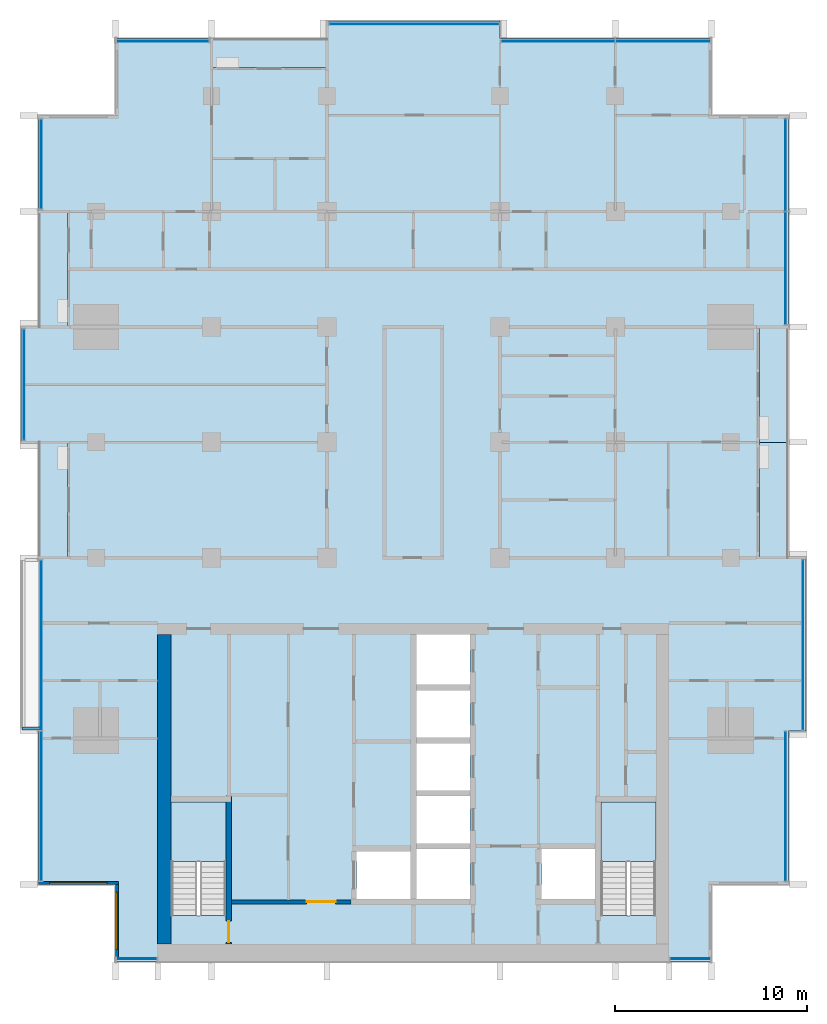
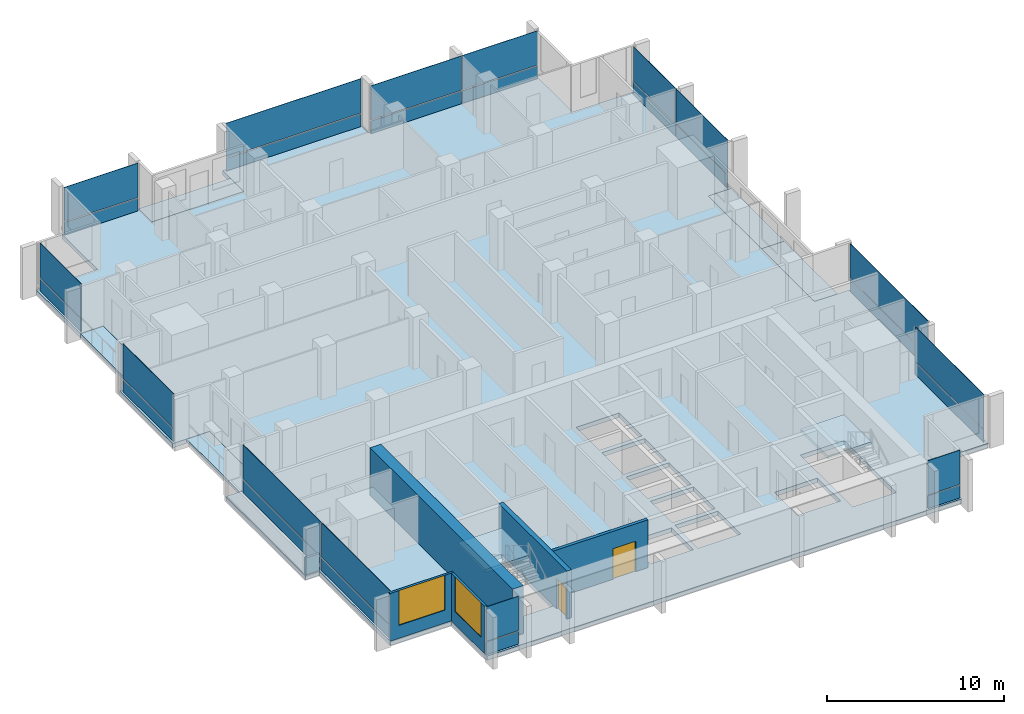
# One storey, part 6 of 17: 28 plates, 8 slabs, 6 walls, 2 doors, 2 windows, 4 openings, 13 elements without a shape of their own.
"""IFC4 building model written with IfcOpenShell, lengths in metres."""

from ifc_helpers import new_model, si_unit, direction, frame, frame_2d, origin, origin_2d, place, context, subcontext, project, spatial, polyline, rectangle, outline, extrude, material, layer, layer_set, type_object, element, fill, aggregate, save


model = new_model("IFC4")

# Units and contexts
model_context = context("Model", 3, precision=1e-05, world=origin(), true_north=direction((0.0, 1.0)))
body_context = subcontext(model_context, "Body", "Model", "MODEL_VIEW")
ifc_project = project(units=[si_unit("LENGTHUNIT", "METRE"), si_unit("AREAUNIT", "SQUARE_METRE"), si_unit("VOLUMEUNIT", "CUBIC_METRE"), si_unit("PLANEANGLEUNIT", "RADIAN"), si_unit("MASSUNIT", "GRAM", prefix="KILO")], contexts=[model_context])

# Site, building, storey
site_placement = place(None, origin())
site = spatial("IfcSite", under=ifc_project, at=site_placement, CompositionType="ELEMENT")
building_placement = place(site_placement, origin())
building = spatial("IfcBuilding", under=site, at=building_placement, Name="Finial Court Residences", CompositionType="ELEMENT")
storey_placement = place(building_placement, frame((0.0, 0.0, 152.89990234375)))
storey = spatial("IfcBuildingStorey", under=building, at=storey_placement, Name="L37", CompositionType="ELEMENT", Elevation=152.89990234375)

# Slabs
ifc_material_1 = material(Name="Concrete C35/45", Category="concrete")
ifc_layer_1 = layer(ifc_material_1, 0.199951171875)
ifc_layer_set_1 = layer_set([ifc_layer_1], Name="Balcony slab, Concrete C35/45 200")
slab_type_1 = type_object("IfcSlabType", Name="Balcony slab, Concrete C35/45 200", PredefinedType="FLOOR", material=ifc_layer_set_1)
slab_1_placement = place(storey_placement, frame((0.0, 0.0, -0.199951171875)))
element("IfcSlab", 1, at=slab_1_placement, inside=storey, type_object=slab_type_1, Name="Balcony L37-N2", PredefinedType="FLOOR", context=body_context, shape_type="SweptSolid", body=[
    extrude(outline(polyline([(-4.5, 21.0), (-4.5, 22.5), (-10.5, 22.5), (-10.5, 21.0), (-4.5, 21.0)])), origin(), (0.0, 0.0, 1.0), 0.199951171875),
])
slab_2_placement = place(storey_placement, frame((0.0, 0.0, -0.199951171875)))
element("IfcSlab", 2, at=slab_2_placement, inside=storey, type_object=slab_type_1, Name="Balcony L37-E3", PredefinedType="FLOOR", context=body_context, shape_type="SweptSolid", body=[
    extrude(outline(polyline([(19.5, -4.5), (19.5, 1.5), (18.0, 1.5), (18.0, -4.5), (19.5, -4.5)])), origin(), (0.0, 0.0, 1.0), 0.199951171875),
])
slab_3_placement = place(storey_placement, frame((0.0, 0.0, -0.199951171875)))
element("IfcSlab", 3, at=slab_3_placement, inside=storey, type_object=slab_type_1, Name="Balcony L37-E4", PredefinedType="FLOOR", context=body_context, shape_type="SweptSolid", body=[
    extrude(outline(polyline([(19.5, 1.5), (19.5, 7.5), (18.0, 7.5), (18.0, 1.5), (19.5, 1.5)])), origin(), (0.0, 0.0, 1.0), 0.199951171875),
])
slab_4_placement = place(storey_placement, frame((0.0, 0.0, -0.199951171875)))
element("IfcSlab", 4, at=slab_4_placement, inside=storey, type_object=slab_type_1, Name="Balcony L37-W3", PredefinedType="FLOOR", context=body_context, shape_type="SweptSolid", body=[
    extrude(outline(polyline([(-18.0, -4.5), (-18.0, 1.5), (-19.5, 1.5), (-19.5, -4.5), (-18.0, -4.5)])), origin(), (0.0, 0.0, 1.0), 0.199951171875),
])
slab_5_placement = place(storey_placement, frame((0.0, 0.0, -0.199951171875)))
element("IfcSlab", 5, at=slab_5_placement, inside=storey, type_object=slab_type_1, Name="Balcony L37-W5", PredefinedType="FLOOR", context=body_context, shape_type="SweptSolid", body=[
    extrude(outline(polyline([(-18.0, 7.5), (-18.0, 13.5), (-19.5, 13.5), (-19.5, 7.5), (-18.0, 7.5)])), origin(), (0.0, 0.0, 1.0), 0.199951171875),
])

# Curtain wall, plate
ifc_material_2 = material(Name="Bronze anodised aluminium", Category="aluminium")
curtain_wall_type = type_object("IfcCurtainWallType", Name="Unitised curtain wall, upper zones", PredefinedType="NOTDEFINED", material=ifc_material_2)
curtain_wall_1_placement = place(storey_placement, origin())
curtain_wall_1 = element("IfcCurtainWall", 6, at=curtain_wall_1_placement, inside=storey, type_object=curtain_wall_type, Name="E-L37-CW-N1", PredefinedType="NOTDEFINED")
ifc_layer_2 = layer(ifc_material_2, 0.035888671875)
ifc_layer_set_2 = layer_set([ifc_layer_2], Name="CW2 spandrel panel 36")
plate_type_1 = type_object("IfcPlateType", Name="CW2 spandrel panel 36", PredefinedType="CURTAIN_PANEL", material=ifc_layer_set_2)
plate_1_placement = place(storey_placement, frame((-13.03759765625, 22.35009765625, 0.0), z_axis=(0.0, 0.0, 1.0), x_axis=(1.0, 0.0, 0.0)))
plate_1 = element("IfcPlate", 7, at=plate_1_placement, type_object=plate_type_1, Name="CW2 spandrel 1.1", PredefinedType="CURTAIN_PANEL", context=body_context, shape_type="SweptSolid", body=[
    extrude(rectangle(XDim=4.804931640625, YDim=0.035888671875, at=origin_2d()), origin(), (0.0, 0.0, 1.0), 0.8701171875),
])

curtain_wall_2_placement = place(storey_placement, origin())
curtain_wall_2 = element("IfcCurtainWall", 8, at=curtain_wall_2_placement, inside=storey, type_object=curtain_wall_type, Name="E-L37-CW-N2", PredefinedType="NOTDEFINED")
plate_2_placement = place(storey_placement, frame((0.03759765625, 23.25, 0.0), z_axis=(0.0, 0.0, 1.0), x_axis=(1.0, 0.0, 0.0)))
plate_2 = element("IfcPlate", 9, at=plate_2_placement, type_object=plate_type_1, Name="CW2 spandrel 1.1", PredefinedType="CURTAIN_PANEL", context=body_context, shape_type="SweptSolid", body=[
    extrude(rectangle(XDim=8.804931640625, YDim=0.035888671875, at=origin_2d()), origin(), (0.0, 0.0, 1.0), 0.8701171875),
])

# Curtain wall, plates
curtain_wall_3_placement = place(storey_placement, origin())
curtain_wall_3 = element("IfcCurtainWall", 10, at=curtain_wall_3_placement, inside=storey, type_object=curtain_wall_type, Name="E-L37-CW-N3", PredefinedType="NOTDEFINED")
plate_3_placement = place(storey_placement, frame((7.514892578125, 22.35009765625, 0.0), z_axis=(0.0, 0.0, 1.0), x_axis=(1.0, 0.0, 0.0)))
plate_3 = element("IfcPlate", 11, at=plate_3_placement, type_object=plate_type_1, Name="CW2 spandrel 1.1", PredefinedType="CURTAIN_PANEL", context=body_context, shape_type="SweptSolid", body=[
    extrude(rectangle(XDim=5.909912109375, YDim=0.035888671875, at=origin_2d()), origin(), (0.0, 0.0, 1.0), 0.8701171875),
])
plate_4_placement = place(storey_placement, frame((12.985107421875, 22.35009765625, 0.0), z_axis=(0.0, 0.0, 1.0), x_axis=(1.0, 0.0, 0.0)))
plate_4 = element("IfcPlate", 12, at=plate_4_placement, type_object=plate_type_1, Name="CW2 spandrel 2.1", PredefinedType="CURTAIN_PANEL", context=body_context, shape_type="SweptSolid", body=[
    extrude(rectangle(XDim=4.909912109375, YDim=0.035888671875, at=origin_2d()), origin(), (0.0, 0.0, 1.0), 0.8701171875),
])

# Curtain wall, plate
curtain_wall_4_placement = place(storey_placement, origin())
curtain_wall_4 = element("IfcCurtainWall", 13, at=curtain_wall_4_placement, inside=storey, type_object=curtain_wall_type, Name="E-L37-CW-E4", PredefinedType="NOTDEFINED")
plate_5_placement = place(storey_placement, frame((19.35009765625, -17.425048828125, 0.0), z_axis=(0.0, 0.0, 1.0), x_axis=(0.0, 1.0, 0.0)))
plate_5 = element("IfcPlate", 14, at=plate_5_placement, type_object=plate_type_1, Name="CW2 spandrel 1.1", PredefinedType="CURTAIN_PANEL", context=body_context, shape_type="SweptSolid", body=[
    extrude(rectangle(XDim=7.72998046875, YDim=0.035888671875, at=origin_2d()), origin(), (0.0, 0.0, 1.0), 0.8701171875),
])

curtain_wall_5_placement = place(storey_placement, origin())
curtain_wall_5 = element("IfcCurtainWall", 15, at=curtain_wall_5_placement, inside=storey, type_object=curtain_wall_type, Name="E-L37-CW-E5", PredefinedType="NOTDEFINED")
plate_6_placement = place(storey_placement, frame((20.25, -9.03759765625, 0.0), z_axis=(0.0, 0.0, 1.0), x_axis=(0.0, 1.0, 0.0)))
plate_6 = element("IfcPlate", 16, at=plate_6_placement, type_object=plate_type_1, Name="CW2 spandrel 1.1", PredefinedType="CURTAIN_PANEL", context=body_context, shape_type="SweptSolid", body=[
    extrude(rectangle(XDim=8.804931640625, YDim=0.035888671875, at=origin_2d()), origin(), (0.0, 0.0, 1.0), 0.8701171875),
])

# Curtain wall, plates
curtain_wall_6_placement = place(storey_placement, origin())
curtain_wall_6 = element("IfcCurtainWall", 17, at=curtain_wall_6_placement, inside=storey, type_object=curtain_wall_type, Name="E-L37-CW-E6", PredefinedType="NOTDEFINED")
plate_7_placement = place(storey_placement, frame((19.35009765625, 10.552490234375, 0.0), z_axis=(0.0, 0.0, 1.0), x_axis=(0.0, 1.0, 0.0)))
plate_7 = element("IfcPlate", 18, at=plate_7_placement, type_object=plate_type_1, Name="CW2 spandrel 1.1", PredefinedType="CURTAIN_PANEL", context=body_context, shape_type="SweptSolid", body=[
    extrude(rectangle(XDim=5.8349609375, YDim=0.035888671875, at=origin_2d()), origin(), (0.0, 0.0, 1.0), 0.8701171875),
])
plate_8_placement = place(storey_placement, frame((19.35009765625, 15.909912109375, 0.0), z_axis=(0.0, 0.0, 1.0), x_axis=(0.0, 1.0, 0.0)))
plate_8 = element("IfcPlate", 19, at=plate_8_placement, type_object=plate_type_1, Name="CW2 spandrel 2.1", PredefinedType="CURTAIN_PANEL", context=body_context, shape_type="SweptSolid", body=[
    extrude(rectangle(XDim=4.760009765625, YDim=0.035888671875, at=origin_2d()), origin(), (0.0, 0.0, 1.0), 0.8701171875),
])

# Curtain wall, plate
curtain_wall_7_placement = place(storey_placement, origin())
curtain_wall_7 = element("IfcCurtainWall", 20, at=curtain_wall_7_placement, inside=storey, type_object=curtain_wall_type, Name="E-L37-CW-S7", PredefinedType="NOTDEFINED")
plate_9_placement = place(storey_placement, frame((-14.39990234375, -25.35009765625, 0.0), z_axis=(0.0, 0.0, 1.0), x_axis=(1.0, 0.0, 0.0)))
plate_9 = element("IfcPlate", 21, at=plate_9_placement, type_object=plate_type_1, Name="CW2 spandrel 1.1", PredefinedType="CURTAIN_PANEL", context=body_context, shape_type="SweptSolid", body=[
    extrude(rectangle(XDim=2.080078125, YDim=0.035888671875, at=origin_2d()), origin(), (0.0, 0.0, 1.0), 0.8701171875),
])

curtain_wall_8_placement = place(storey_placement, origin())
curtain_wall_8 = element("IfcCurtainWall", 22, at=curtain_wall_8_placement, inside=storey, type_object=curtain_wall_type, Name="E-L37-CW-S8", PredefinedType="NOTDEFINED")
plate_10_placement = place(storey_placement, frame((14.39990234375, -25.35009765625, 0.0), z_axis=(0.0, 0.0, 1.0), x_axis=(1.0, 0.0, 0.0)))
plate_10 = element("IfcPlate", 23, at=plate_10_placement, type_object=plate_type_1, Name="CW2 spandrel 1.1", PredefinedType="CURTAIN_PANEL", context=body_context, shape_type="SweptSolid", body=[
    extrude(rectangle(XDim=2.080078125, YDim=0.035888671875, at=origin_2d()), origin(), (0.0, 0.0, 1.0), 0.8701171875),
])

# Curtain wall, plates
curtain_wall_9_placement = place(storey_placement, origin())
curtain_wall_9 = element("IfcCurtainWall", 24, at=curtain_wall_9_placement, inside=storey, type_object=curtain_wall_type, Name="E-L37-CW-W9", PredefinedType="NOTDEFINED")
plate_11_placement = place(storey_placement, frame((-19.35009765625, -17.409912109375, 0.0), z_axis=(0.0, 0.0, 1.0), x_axis=(0.0, 1.0, 0.0)))
plate_11 = element("IfcPlate", 25, at=plate_11_placement, type_object=plate_type_1, Name="CW2 spandrel 1.1", PredefinedType="CURTAIN_PANEL", context=body_context, shape_type="SweptSolid", body=[
    extrude(rectangle(XDim=7.760009765625, YDim=0.035888671875, at=origin_2d()), origin(), (0.0, 0.0, 1.0), 0.8701171875),
])
plate_12_placement = place(storey_placement, frame((-19.35009765625, -9.052490234375, 0.0), z_axis=(0.0, 0.0, 1.0), x_axis=(0.0, 1.0, 0.0)))
plate_12 = element("IfcPlate", 26, at=plate_12_placement, type_object=plate_type_1, Name="CW2 spandrel 2.1", PredefinedType="CURTAIN_PANEL", context=body_context, shape_type="SweptSolid", body=[
    extrude(rectangle(XDim=8.8349609375, YDim=0.035888671875, at=origin_2d()), origin(), (0.0, 0.0, 1.0), 0.8701171875),
])

# Curtain wall, plate
curtain_wall_10_placement = place(storey_placement, origin())
curtain_wall_10 = element("IfcCurtainWall", 27, at=curtain_wall_10_placement, inside=storey, type_object=curtain_wall_type, Name="E-L37-CW-W10", PredefinedType="NOTDEFINED")
plate_13_placement = place(storey_placement, frame((-20.25, 4.5, 0.0), z_axis=(0.0, 0.0, 1.0), x_axis=(0.0, 1.0, 0.0)))
plate_13 = element("IfcPlate", 28, at=plate_13_placement, type_object=plate_type_1, Name="CW2 spandrel 1.1", PredefinedType="CURTAIN_PANEL", context=body_context, shape_type="SweptSolid", body=[
    extrude(rectangle(XDim=5.72998046875, YDim=0.035888671875, at=origin_2d()), origin(), (0.0, 0.0, 1.0), 0.8701171875),
])

curtain_wall_11_placement = place(storey_placement, origin())
curtain_wall_11 = element("IfcCurtainWall", 29, at=curtain_wall_11_placement, inside=storey, type_object=curtain_wall_type, Name="E-L37-CW-W11", PredefinedType="NOTDEFINED")
plate_14_placement = place(storey_placement, frame((-19.35009765625, 15.96240234375, 0.0), z_axis=(0.0, 0.0, 1.0), x_axis=(0.0, 1.0, 0.0)))
plate_14 = element("IfcPlate", 30, at=plate_14_placement, type_object=plate_type_1, Name="CW2 spandrel 1.1", PredefinedType="CURTAIN_PANEL", context=body_context, shape_type="SweptSolid", body=[
    extrude(rectangle(XDim=4.655029296875, YDim=0.035888671875, at=origin_2d()), origin(), (0.0, 0.0, 1.0), 0.8701171875),
])

# Plate
ifc_material_3 = material(Name="Clear low-e glass", Category="glass")
ifc_layer_3 = layer(ifc_material_3, 0.030029296875)
ifc_layer_set_3 = layer_set([ifc_layer_3], Name="CW2 vision glass 30")
plate_type_2 = type_object("IfcPlateType", Name="CW2 vision glass 30", PredefinedType="CURTAIN_PANEL", material=ifc_layer_set_3)
plate_15_placement = place(storey_placement, frame((-13.03759765625, 22.35009765625, 0.929931640625), z_axis=(0.0, 0.0, 1.0), x_axis=(1.0, 0.0, 0.0)))
plate_15 = element("IfcPlate", 31, at=plate_15_placement, type_object=plate_type_2, Name="CW2 glass 1.2", PredefinedType="CURTAIN_PANEL", context=body_context, shape_type="SweptSolid", body=[
    extrude(rectangle(XDim=4.804931640625, YDim=0.030029296875, at=origin_2d()), origin(), (0.0, 0.0, 1.0), 2.3701171875),
])

aggregate(curtain_wall_1, [plate_1, plate_15])

plate_16_placement = place(storey_placement, frame((0.03759765625, 23.25, 0.929931640625), z_axis=(0.0, 0.0, 1.0), x_axis=(1.0, 0.0, 0.0)))
plate_16 = element("IfcPlate", 32, at=plate_16_placement, type_object=plate_type_2, Name="CW2 glass 1.2", PredefinedType="CURTAIN_PANEL", context=body_context, shape_type="SweptSolid", body=[
    extrude(rectangle(XDim=8.804931640625, YDim=0.030029296875, at=origin_2d()), origin(), (0.0, 0.0, 1.0), 2.3701171875),
])

aggregate(curtain_wall_2, [plate_2, plate_16])

plate_17_placement = place(storey_placement, frame((7.514892578125, 22.35009765625, 0.929931640625), z_axis=(0.0, 0.0, 1.0), x_axis=(1.0, 0.0, 0.0)))
plate_17 = element("IfcPlate", 33, at=plate_17_placement, type_object=plate_type_2, Name="CW2 glass 1.2", PredefinedType="CURTAIN_PANEL", context=body_context, shape_type="SweptSolid", body=[
    extrude(rectangle(XDim=5.909912109375, YDim=0.030029296875, at=origin_2d()), origin(), (0.0, 0.0, 1.0), 2.3701171875),
])

plate_18_placement = place(storey_placement, frame((12.985107421875, 22.35009765625, 0.929931640625), z_axis=(0.0, 0.0, 1.0), x_axis=(1.0, 0.0, 0.0)))
plate_18 = element("IfcPlate", 34, at=plate_18_placement, type_object=plate_type_2, Name="CW2 glass 2.2", PredefinedType="CURTAIN_PANEL", context=body_context, shape_type="SweptSolid", body=[
    extrude(rectangle(XDim=4.909912109375, YDim=0.030029296875, at=origin_2d()), origin(), (0.0, 0.0, 1.0), 2.3701171875),
])

aggregate(curtain_wall_3, [plate_3, plate_17, plate_4, plate_18])

plate_19_placement = place(storey_placement, frame((19.35009765625, -17.425048828125, 0.929931640625), z_axis=(0.0, 0.0, 1.0), x_axis=(0.0, 1.0, 0.0)))
plate_19 = element("IfcPlate", 35, at=plate_19_placement, type_object=plate_type_2, Name="CW2 glass 1.2", PredefinedType="CURTAIN_PANEL", context=body_context, shape_type="SweptSolid", body=[
    extrude(rectangle(XDim=7.72998046875, YDim=0.030029296875, at=origin_2d()), origin(), (0.0, 0.0, 1.0), 2.3701171875),
])

aggregate(curtain_wall_4, [plate_5, plate_19])

plate_20_placement = place(storey_placement, frame((20.25, -9.03759765625, 0.929931640625), z_axis=(0.0, 0.0, 1.0), x_axis=(0.0, 1.0, 0.0)))
plate_20 = element("IfcPlate", 36, at=plate_20_placement, type_object=plate_type_2, Name="CW2 glass 1.2", PredefinedType="CURTAIN_PANEL", context=body_context, shape_type="SweptSolid", body=[
    extrude(rectangle(XDim=8.804931640625, YDim=0.030029296875, at=origin_2d()), origin(), (0.0, 0.0, 1.0), 2.3701171875),
])

aggregate(curtain_wall_5, [plate_6, plate_20])

plate_21_placement = place(storey_placement, frame((19.35009765625, 10.552490234375, 0.929931640625), z_axis=(0.0, 0.0, 1.0), x_axis=(0.0, 1.0, 0.0)))
plate_21 = element("IfcPlate", 37, at=plate_21_placement, type_object=plate_type_2, Name="CW2 glass 1.2", PredefinedType="CURTAIN_PANEL", context=body_context, shape_type="SweptSolid", body=[
    extrude(rectangle(XDim=5.8349609375, YDim=0.030029296875, at=origin_2d()), origin(), (0.0, 0.0, 1.0), 2.3701171875),
])

plate_22_placement = place(storey_placement, frame((19.35009765625, 15.909912109375, 0.929931640625), z_axis=(0.0, 0.0, 1.0), x_axis=(0.0, 1.0, 0.0)))
plate_22 = element("IfcPlate", 38, at=plate_22_placement, type_object=plate_type_2, Name="CW2 glass 2.2", PredefinedType="CURTAIN_PANEL", context=body_context, shape_type="SweptSolid", body=[
    extrude(rectangle(XDim=4.760009765625, YDim=0.030029296875, at=origin_2d()), origin(), (0.0, 0.0, 1.0), 2.3701171875),
])

aggregate(curtain_wall_6, [plate_7, plate_21, plate_8, plate_22])

plate_23_placement = place(storey_placement, frame((-14.39990234375, -25.35009765625, 0.929931640625), z_axis=(0.0, 0.0, 1.0), x_axis=(1.0, 0.0, 0.0)))
plate_23 = element("IfcPlate", 39, at=plate_23_placement, type_object=plate_type_2, Name="CW2 glass 1.2", PredefinedType="CURTAIN_PANEL", context=body_context, shape_type="SweptSolid", body=[
    extrude(rectangle(XDim=2.080078125, YDim=0.030029296875, at=origin_2d()), origin(), (0.0, 0.0, 1.0), 2.3701171875),
])

aggregate(curtain_wall_7, [plate_9, plate_23])

plate_24_placement = place(storey_placement, frame((14.39990234375, -25.35009765625, 0.929931640625), z_axis=(0.0, 0.0, 1.0), x_axis=(1.0, 0.0, 0.0)))
plate_24 = element("IfcPlate", 40, at=plate_24_placement, type_object=plate_type_2, Name="CW2 glass 1.2", PredefinedType="CURTAIN_PANEL", context=body_context, shape_type="SweptSolid", body=[
    extrude(rectangle(XDim=2.080078125, YDim=0.030029296875, at=origin_2d()), origin(), (0.0, 0.0, 1.0), 2.3701171875),
])

aggregate(curtain_wall_8, [plate_10, plate_24])

plate_25_placement = place(storey_placement, frame((-19.35009765625, -17.409912109375, 0.929931640625), z_axis=(0.0, 0.0, 1.0), x_axis=(0.0, 1.0, 0.0)))
plate_25 = element("IfcPlate", 41, at=plate_25_placement, type_object=plate_type_2, Name="CW2 glass 1.2", PredefinedType="CURTAIN_PANEL", context=body_context, shape_type="SweptSolid", body=[
    extrude(rectangle(XDim=7.760009765625, YDim=0.030029296875, at=origin_2d()), origin(), (0.0, 0.0, 1.0), 2.3701171875),
])

plate_26_placement = place(storey_placement, frame((-19.35009765625, -9.052490234375, 0.929931640625), z_axis=(0.0, 0.0, 1.0), x_axis=(0.0, 1.0, 0.0)))
plate_26 = element("IfcPlate", 42, at=plate_26_placement, type_object=plate_type_2, Name="CW2 glass 2.2", PredefinedType="CURTAIN_PANEL", context=body_context, shape_type="SweptSolid", body=[
    extrude(rectangle(XDim=8.8349609375, YDim=0.030029296875, at=origin_2d()), origin(), (0.0, 0.0, 1.0), 2.3701171875),
])

aggregate(curtain_wall_9, [plate_11, plate_25, plate_12, plate_26])

plate_27_placement = place(storey_placement, frame((-20.25, 4.5, 0.929931640625), z_axis=(0.0, 0.0, 1.0), x_axis=(0.0, 1.0, 0.0)))
plate_27 = element("IfcPlate", 43, at=plate_27_placement, type_object=plate_type_2, Name="CW2 glass 1.2", PredefinedType="CURTAIN_PANEL", context=body_context, shape_type="SweptSolid", body=[
    extrude(rectangle(XDim=5.72998046875, YDim=0.030029296875, at=origin_2d()), origin(), (0.0, 0.0, 1.0), 2.3701171875),
])

aggregate(curtain_wall_10, [plate_13, plate_27])

plate_28_placement = place(storey_placement, frame((-19.35009765625, 15.96240234375, 0.929931640625), z_axis=(0.0, 0.0, 1.0), x_axis=(0.0, 1.0, 0.0)))
plate_28 = element("IfcPlate", 44, at=plate_28_placement, type_object=plate_type_2, Name="CW2 glass 1.2", PredefinedType="CURTAIN_PANEL", context=body_context, shape_type="SweptSolid", body=[
    extrude(rectangle(XDim=4.655029296875, YDim=0.030029296875, at=origin_2d()), origin(), (0.0, 0.0, 1.0), 2.3701171875),
])

aggregate(curtain_wall_11, [plate_14, plate_28])

# Stair, slab
ifc_material_4 = material(Name="Concrete C50/60", Category="concrete")
stair_type = type_object("IfcStairType", Name="Exit stair 22 risers of 163.6 mm", PredefinedType="HALF_TURN_STAIR", material=ifc_material_4)
stair_1_placement = place(storey_placement, origin())
stair_1 = element("IfcStair", 45, at=stair_1_placement, inside=storey, type_object=stair_type, Name="L37 Exit stair ST-1", PredefinedType="HALF_TURN_STAIR")
ifc_layer_4 = layer(ifc_material_4, 0.199951171875)
ifc_layer_set_4 = layer_set([ifc_layer_4], Name="Exit stair landing")
slab_type_2 = type_object("IfcSlabType", Name="Exit stair landing", PredefinedType="LANDING", material=ifc_layer_set_4)
slab_6_placement = place(storey_placement, frame((0.0, 0.0, 1.60009765625)))
slab_6 = element("IfcSlab", 46, at=slab_6_placement, type_object=slab_type_2, Name="ST-1 landing 1", PredefinedType="LANDING", context=body_context, shape_type="SweptSolid", body=[
    extrude(outline(polyline([(-9.75, -20.300048828125), (-9.75, -17.199951171875), (-12.60009765625, -17.199951171875), (-12.60009765625, -20.300048828125), (-9.75, -20.300048828125)])), origin(), (0.0, 0.0, 1.0), 0.199951171875),
])
aggregate(stair_1, [slab_6])

stair_2_placement = place(storey_placement, origin())
stair_2 = element("IfcStair", 47, at=stair_2_placement, inside=storey, type_object=stair_type, Name="L37 Exit stair ST-2", PredefinedType="HALF_TURN_STAIR")
slab_7_placement = place(storey_placement, frame((0.0, 0.0, 1.60009765625)))
slab_7 = element("IfcSlab", 48, at=slab_7_placement, type_object=slab_type_2, Name="ST-2 landing 1", PredefinedType="LANDING", context=body_context, shape_type="SweptSolid", body=[
    extrude(outline(polyline([(12.60009765625, -20.300048828125), (12.60009765625, -17.199951171875), (9.75, -17.199951171875), (9.75, -20.300048828125), (12.60009765625, -20.300048828125)])), origin(), (0.0, 0.0, 1.0), 0.199951171875),
])
aggregate(stair_2, [slab_7])

# Slab
ifc_material_5 = material(Name="Concrete C40/50", Category="concrete")
ifc_layer_5 = layer(ifc_material_5, 0.300048828125)
ifc_layer_set_5 = layer_set([ifc_layer_5], Name="Flat plate slab 300 Concrete C40/50")
slab_type_3 = type_object("IfcSlabType", Name="Flat plate slab 300 Concrete C40/50", PredefinedType="FLOOR", material=ifc_layer_set_5)
slab_8_placement = place(storey_placement, frame((0.0, 0.0, -0.2998046875)))
element("IfcSlab", 49, at=slab_8_placement, inside=storey, type_object=slab_type_3, Name="S:SLAB:L37", PredefinedType="FLOOR", context=body_context, shape_type="SweptSolid", body=[
    extrude(outline(polyline([(-20.39990234375, -13.5), (-20.39990234375, -4.5), (-19.5, -4.5), (-18.0, -4.5), (-18.0, 1.5), (-19.5, 1.5), (-20.39990234375, 1.5), (-20.39990234375, 7.5), (-19.5, 7.5), (-18.0, 7.5), (-18.0, 13.5), (-19.5, 13.5), (-19.5, 18.5), (-15.5, 18.5), (-15.5, 22.5), (-10.5, 22.5), (-10.5, 21.0), (-4.5, 21.0), (-4.5, 22.5), (-4.5, 23.39990234375), (4.5, 23.39990234375), (4.5, 22.5), (15.5, 22.5), (15.5, 18.5), (19.5, 18.5), (19.5, 7.5), (18.0, 7.5), (18.0, 1.5), (18.0, -4.5), (19.5, -4.5), (20.39990234375, -4.5), (20.39990234375, -13.5), (19.5, -13.5), (19.5, -21.5), (15.5, -21.5), (15.5, -25.5), (-15.5, -25.5), (-15.5, -21.5), (-19.5, -21.5), (-19.5, -13.5), (-20.39990234375, -13.5)]), holes=[polyline([(-0.14990234375, -19.77001953125), (-2.949951171875, -19.77001953125), (-2.949951171875, -22.25), (-0.14990234375, -22.25), (-0.14990234375, -19.77001953125)]), polyline([(2.949951171875, -19.64990234375), (0.14990234375, -19.64990234375), (0.14990234375, -22.25), (2.949951171875, -22.25), (2.949951171875, -19.64990234375)]), polyline([(9.449951171875, -19.64990234375), (6.64990234375, -19.64990234375), (6.64990234375, -22.25), (9.449951171875, -22.25), (9.449951171875, -19.64990234375)]), polyline([(-12.60009765625, -17.199951171875), (-12.60009765625, -23.09912109375), (-9.75, -23.09912109375), (-9.75, -17.199951171875), (-12.60009765625, -17.199951171875)]), polyline([(9.75, -17.199951171875), (9.75, -23.09912109375), (12.60009765625, -23.09912109375), (12.60009765625, -17.199951171875), (9.75, -17.199951171875)]), polyline([(2.949951171875, -16.89990234375), (0.14990234375, -16.89990234375), (0.14990234375, -19.35009765625), (2.949951171875, -19.35009765625), (2.949951171875, -16.89990234375)]), polyline([(2.949951171875, -14.14990234375), (0.14990234375, -14.14990234375), (0.14990234375, -16.60009765625), (2.949951171875, -16.60009765625), (2.949951171875, -14.14990234375)]), polyline([(2.949951171875, -13.85009765625), (2.949951171875, -11.39990234375), (0.14990234375, -11.39990234375), (0.14990234375, -13.85009765625), (2.949951171875, -13.85009765625)]), polyline([(2.949951171875, -11.10009765625), (2.949951171875, -8.5), (0.14990234375, -8.5), (0.14990234375, -11.10009765625), (2.949951171875, -11.10009765625)])]), origin(), (0.0, 0.0, 1.0), 0.2998046875),
])

# Walls
ifc_material_6 = material(Name="Concrete C70/85", Category="concrete")
ifc_layer_6 = layer(ifc_material_6, 0.699951171875)
ifc_layer_set_6 = layer_set([ifc_layer_6], Name="Core outer wall 700 Concrete C70/85")
wall_type_1 = type_object("IfcWallType", Name="Core outer wall 700 Concrete C70/85", PredefinedType="SHEAR", material=ifc_layer_set_6)
wall_1_placement = place(storey_placement, frame((-12.949951171875, -24.60009765625, 0.0), z_axis=(0.0, 0.0, 1.0), x_axis=(0.0, 1.0, 0.0)))
element("IfcWall", 50, at=wall_1_placement, inside=storey, type_object=wall_type_1, Name="Core outer wall L37-03", PredefinedType="SHEAR", context=body_context, shape_type="SweptSolid", body=[
    extrude(rectangle(XDim=16.10009765625, YDim=0.699951171875, at=frame_2d((8.050048828125, 0.0))), origin(), (0.0, 0.0, 1.0), 3.300048828125),
])
ifc_layer_7 = layer(ifc_material_1, 0.14990234375)
ifc_layer_set_7 = layer_set([ifc_layer_7], Name="Ledge parapet, Concrete C35/45 150")
wall_type_2 = type_object("IfcWallType", Name="Ledge parapet, Concrete C35/45 150", PredefinedType="PARAPET", material=ifc_layer_set_7)
wall_2_placement = place(storey_placement, frame((-19.447509765625, -13.375, 0.0), z_axis=(0.0, 0.0, 1.0), x_axis=(-1.0, 0.0, 0.0)))
element("IfcWall", 51, at=wall_2_placement, inside=storey, type_object=wall_type_2, Name="E-L37-LED1-P1", PredefinedType="PARAPET", context=body_context, shape_type="SweptSolid", body=[
    extrude(rectangle(XDim=0.902587890625, YDim=0.14990234375, at=frame_2d((0.451171875, 0.0))), origin(), (0.0, 0.0, 1.0), 1.150146484375),
])

# Wall, opening, door
ifc_layer_8 = layer(ifc_material_6, 0.300048828125)
ifc_layer_set_8 = layer_set([ifc_layer_8], Name="Lift shaft and stair wall 300 Concrete C70/85")
wall_type_3 = type_object("IfcWallType", Name="Lift shaft and stair wall 300 Concrete C70/85", PredefinedType="SHEAR", material=ifc_layer_set_8)
wall_3_placement = place(storey_placement, frame((-9.60009765625, -24.60009765625, 0.0), z_axis=(0.0, 0.0, 1.0), x_axis=(0.0, 1.0, 0.0)))
wall_3 = element("IfcWall", 52, at=wall_3_placement, inside=storey, type_object=wall_type_3, Name="Core wall L37-17", PredefinedType="SHEAR", context=body_context, shape_type="SweptSolid", body=[
    extrude(rectangle(XDim=7.7001953125, YDim=0.300048828125, at=frame_2d((3.85009765625, 0.0))), origin(), (0.0, 0.0, 1.0), 3.300048828125),
])
opening_1_placement = place(wall_3_placement, frame((0.10009765625, 0.0, 0.0)))
opening_1 = element("IfcOpeningElement", 53, at=opening_1_placement, cuts=wall_3, Name="Opening L37-C17", PredefinedType="OPENING", context=body_context, shape_type="SweptSolid", body=[
    extrude(rectangle(XDim=1.10009765625, YDim=2.10009765625, at=frame_2d((0.550048828125, 1.050048828125))), frame((0.0, 0.159912109375, 0.0), z_axis=(0.0, -1.0, 0.0), x_axis=(1.0, 0.0, 0.0)), (0.0, 0.0, 1.0), 0.320068359375),
])
ifc_material_7 = material(Name="Steel fire door", Category="steel")
door_type_1 = type_object("IfcDoorType", Name="Stair door 1100 x 2100 EI 90", OperationType="NOTDEFINED", PredefinedType="DOOR", material=ifc_material_7)
door_1_placement = place(opening_1_placement, origin())
door_1 = element("IfcDoor", 54, at=door_1_placement, inside=storey, type_object=door_type_1, Name="Stair door L37-C17", OperationType="SINGLE_SWING_LEFT", OverallHeight=2.10009765625, OverallWidth=1.10009765625, PredefinedType="DOOR", context=body_context, shape_type="SweptSolid", body=[
    extrude(rectangle(XDim=1.10009765625, YDim=2.10009765625, at=frame_2d((0.550048828125, 1.050048828125))), frame((0.0, 0.02490234375, 0.0), z_axis=(0.0, -1.0, 0.0), x_axis=(1.0, 0.0, 0.0)), (0.0, 0.0, 1.0), 0.050048828125),
])
fill(opening_1, door_1)

# Wall, opening, window
ifc_material_8 = material(Name="Natural limestone", Category="masonry")
ifc_layer_9 = layer(ifc_material_8, 0.14990234375)
ifc_layer_set_9 = layer_set([ifc_layer_9], Name="Limestone clad wall 150")
wall_type_4 = type_object("IfcWallType", Name="Limestone clad wall 150", PredefinedType="SOLIDWALL", material=ifc_layer_set_9)
wall_4_placement = place(storey_placement, frame((-15.425048828125, -25.262451171875, 0.0), z_axis=(0.0, 0.0, 1.0), x_axis=(0.0, 1.0, 0.0)))
wall_4 = element("IfcWall", 55, at=wall_4_placement, inside=storey, type_object=wall_type_4, Name="E-L37-NWW12", PredefinedType="SOLIDWALL", context=body_context, shape_type="SweptSolid", body=[
    extrude(rectangle(XDim=3.762451171875, YDim=0.14990234375, at=frame_2d((1.88134765625, 0.0))), origin(), (0.0, 0.0, 1.0), 3.300048828125),
])
opening_2_placement = place(wall_4_placement, frame((0.401123046875, 0.0, 0.89990234375)))
opening_2 = element("IfcOpeningElement", 56, at=opening_2_placement, cuts=wall_4, Name="Opening WE37-01", PredefinedType="OPENING", context=body_context, shape_type="SweptSolid", body=[
    extrude(rectangle(XDim=2.9599609375, YDim=2.39990234375, at=frame_2d((1.47998046875, 1.199951171875))), frame((0.0, 0.0849609375, 0.0), z_axis=(0.0, -1.0, 0.0), x_axis=(1.0, 0.0, 0.0)), (0.0, 0.0, 1.0), 0.169921875),
])
window_type_1 = type_object("IfcWindowType", Name="Corner window 2960 x 2400", PartitioningType="SINGLE_PANEL", PredefinedType="WINDOW", material=ifc_material_3)
window_1_placement = place(opening_2_placement, origin())
window_1 = element("IfcWindow", 57, at=window_1_placement, inside=storey, type_object=window_type_1, Name="E-L37-NWW12-W1", OverallHeight=2.39990234375, OverallWidth=2.9599609375, PartitioningType="SINGLE_PANEL", PredefinedType="WINDOW", context=body_context, shape_type="SweptSolid", body=[
    extrude(rectangle(XDim=2.9599609375, YDim=2.39990234375, at=frame_2d((1.47998046875, 1.199951171875))), frame((0.0, 0.030029296875, 0.0), z_axis=(0.0, -1.0, 0.0), x_axis=(1.0, 0.0, 0.0)), (0.0, 0.0, 1.0), 0.06005859375),
])
fill(opening_2, window_1)

wall_5_placement = place(storey_placement, frame((-15.35009765625, -21.425048828125, 0.0), z_axis=(0.0, 0.0, 1.0), x_axis=(-1.0, 0.0, 0.0)))
wall_5 = element("IfcWall", 58, at=wall_5_placement, inside=storey, type_object=wall_type_4, Name="E-L37-NWS13", PredefinedType="SOLIDWALL", context=body_context, shape_type="SweptSolid", body=[
    extrude(rectangle(XDim=4.14990234375, YDim=0.14990234375, at=frame_2d((2.074951171875, 0.0))), origin(), (0.0, 0.0, 1.0), 3.300048828125),
])
opening_3_placement = place(wall_5_placement, frame((0.574951171875, 0.0, 0.89990234375)))
opening_3 = element("IfcOpeningElement", 59, at=opening_3_placement, cuts=wall_5, Name="Opening WE37-02", PredefinedType="OPENING", context=body_context, shape_type="SweptSolid", body=[
    extrude(rectangle(XDim=3.0, YDim=2.39990234375, at=frame_2d((1.5, 1.199951171875))), frame((0.0, 0.0849609375, 0.0), z_axis=(0.0, -1.0, 0.0), x_axis=(1.0, 0.0, 0.0)), (0.0, 0.0, 1.0), 0.169921875),
])
window_type_2 = type_object("IfcWindowType", Name="Corner window 3000 x 2400", PartitioningType="SINGLE_PANEL", PredefinedType="WINDOW", material=ifc_material_3)
window_2_placement = place(opening_3_placement, origin())
window_2 = element("IfcWindow", 60, at=window_2_placement, inside=storey, type_object=window_type_2, Name="E-L37-NWS13-W1", OverallHeight=2.39990234375, OverallWidth=3.0, PartitioningType="SINGLE_PANEL", PredefinedType="WINDOW", context=body_context, shape_type="SweptSolid", body=[
    extrude(rectangle(XDim=3.0, YDim=2.39990234375, at=frame_2d((1.5, 1.199951171875))), frame((0.0, 0.030029296875, 0.0), z_axis=(0.0, -1.0, 0.0), x_axis=(1.0, 0.0, 0.0)), (0.0, 0.0, 1.0), 0.06005859375),
])
fill(opening_3, window_2)

# Wall, opening, door
ifc_material_9 = material(Name="Fire-rated gypsum board partition")
ifc_layer_10 = layer(ifc_material_9, 0.199951171875)
ifc_layer_set_10 = layer_set([ifc_layer_10], Name="Stair passage wall 200 EI 180")
wall_type_5 = type_object("IfcWallType", Name="Stair passage wall 200 EI 180", PredefinedType="PARTITIONING", material=ifc_layer_set_10)
wall_6_placement = place(storey_placement, frame((-3.25, -22.39990234375, 0.0), z_axis=(0.0, 0.0, 1.0), x_axis=(-1.0, 0.0, 0.0)))
wall_6 = element("IfcWall", 61, at=wall_6_placement, inside=storey, type_object=wall_type_5, Name="Core partition L37-01", PredefinedType="PARTITIONING", context=body_context, shape_type="SweptSolid", body=[
    extrude(rectangle(XDim=6.199951171875, YDim=0.199951171875, at=frame_2d((3.10009765625, 0.0))), origin(), (0.0, 0.0, 1.0), 3.300048828125),
])
opening_4_placement = place(wall_6_placement, frame((0.800048828125, 0.0, 0.0)))
opening_4 = element("IfcOpeningElement", 62, at=opening_4_placement, cuts=wall_6, Name="Opening L37-C03", PredefinedType="OPENING", context=body_context, shape_type="SweptSolid", body=[
    extrude(rectangle(XDim=1.5, YDim=2.10009765625, at=frame_2d((0.75, 1.050048828125))), frame((0.0, 0.10986328125, 0.0), z_axis=(0.0, -1.0, 0.0), x_axis=(1.0, 0.0, 0.0)), (0.0, 0.0, 1.0), 0.219970703125),
])
door_type_2 = type_object("IfcDoorType", Name="Lift lobby door 1500 x 2100 EI 60", OperationType="DOUBLE_DOOR_SINGLE_SWING", PredefinedType="DOOR", material=ifc_material_7)
door_2_placement = place(opening_4_placement, origin())
door_2 = element("IfcDoor", 63, at=door_2_placement, inside=storey, type_object=door_type_2, Name="Lift lobby door L37-C03", OperationType="DOUBLE_DOOR_SINGLE_SWING", OverallHeight=2.10009765625, OverallWidth=1.5, PredefinedType="DOOR", context=body_context, shape_type="SweptSolid", body=[
    extrude(rectangle(XDim=1.5, YDim=2.10009765625, at=frame_2d((0.75, 1.050048828125))), frame((0.0, 0.02490234375, 0.0), z_axis=(0.0, -1.0, 0.0), x_axis=(1.0, 0.0, 0.0)), (0.0, 0.0, 1.0), 0.050048828125),
])
fill(opening_4, door_2)

save(model, "model.ifc")
